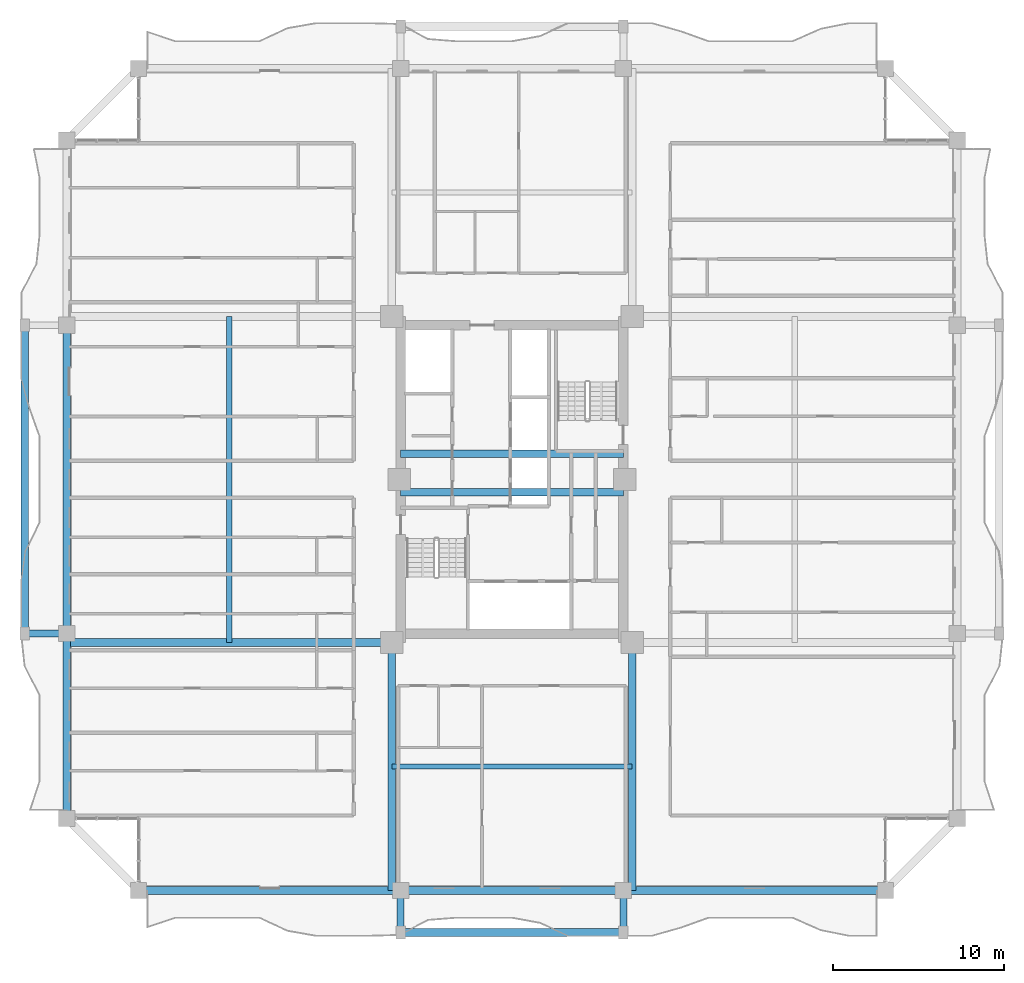
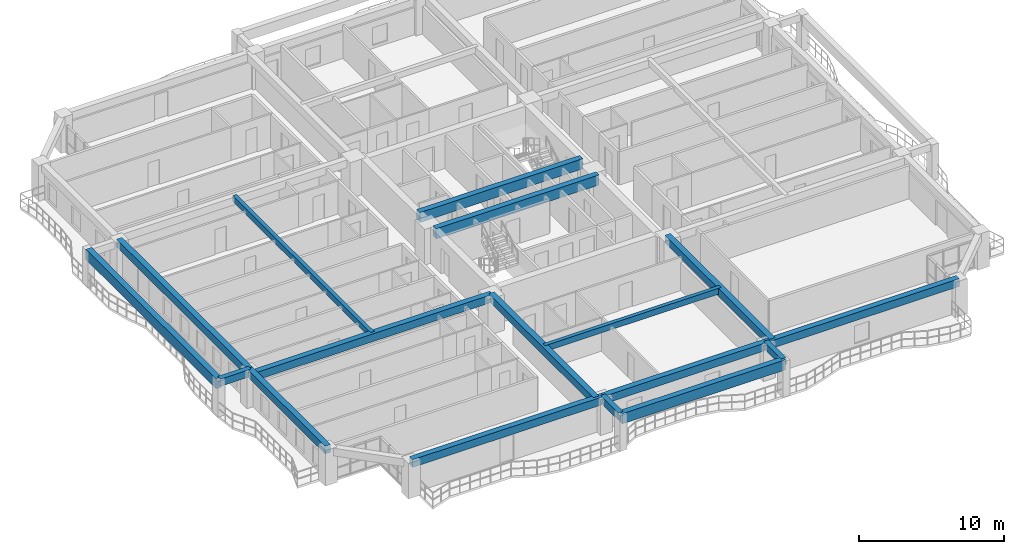
# One storey, part 3 of 24: 17 beams.
"""IFC4 building model written with IfcOpenShell, lengths in metres."""

from ifc_helpers import new_model, si_unit, direction, frame, origin, origin_2d, place, context, subcontext, project, spatial, rectangle, extrude, source, transform, mapped, material, material_profile, profile_set, type_object, element, save


model = new_model("IFC4")

# Units and contexts
model_context = context("Model", 3, precision=1e-05, world=origin(), true_north=direction((0.0, 1.0)))
body_context = subcontext(model_context, "Body", "Model", "MODEL_VIEW")
ifc_project = project(units=[si_unit("LENGTHUNIT", "METRE"), si_unit("AREAUNIT", "SQUARE_METRE"), si_unit("VOLUMEUNIT", "CUBIC_METRE"), si_unit("PLANEANGLEUNIT", "RADIAN"), si_unit("MASSUNIT", "GRAM", prefix="KILO")], contexts=[model_context])

# Site, building, storey
site_placement = place(None, origin())
site = spatial("IfcSite", under=ifc_project, at=site_placement, CompositionType="ELEMENT")
building_placement = place(site_placement, origin())
building = spatial("IfcBuilding", under=site, at=building_placement, Name="Saelheon Loggia Tower", CompositionType="ELEMENT")
storey_placement = place(building_placement, frame((0.0, 0.0, 126.75)))
storey = spatial("IfcBuildingStorey", under=building, at=storey_placement, Name="L40", CompositionType="ELEMENT", Elevation=126.75)

# Beams
ifc_material_1 = material(Name="Concrete C50/60", Category="concrete")
ifc_material_profile_1 = material_profile(ifc_material_1, rectangle(XDim=0.449951171875, YDim=0.85009765625, at=origin_2d()), Name="RC-450x850")
ifc_profile_set_1 = profile_set([ifc_material_profile_1], Name="Concrete C50/60")
beam_type_1 = type_object("IfcBeamType", Name="Beam_CoreLintel_RC450x850", PredefinedType="LINTEL", material=ifc_profile_set_1)
shared_shape_1 = source(origin(), body_context, "Body", "SweptSolid", [
    extrude(rectangle(XDim=0.449951171875, YDim=0.85009765625, at=origin_2d()), origin(), (0.0, 0.0, 1.0), 13.0),
])
for number, where, z_axis, x_axis, name in (
    (1, (31.5, 26.25, 2.574951171875), (1.0, 0.0, 0.0), (0.0, 1.0, 0.0), "L40 Core Coupling Lintel 1"),
    (2, (31.5, 28.5, 2.574951171875), (1.0, 0.0, 0.0), (0.0, 1.0, 0.0), "L40 Core Coupling Lintel 2"),
):
    element("IfcBeam", number, at=place(storey_placement, frame(where, z_axis=z_axis, x_axis=x_axis)), inside=storey, type_object=beam_type_1, Name=name, PredefinedType="LINTEL", context=body_context, shape_type="MappedRepresentation", body=[
        mapped(shared_shape_1, transform((0.0, 0.0, 0.0), scale=1.0)),
    ])
ifc_material_2 = material(Name="Precast Concrete C45/55", Category="concrete")
ifc_material_profile_2 = material_profile(ifc_material_2, rectangle(XDim=0.449951171875, YDim=0.85009765625, at=origin_2d()), Name="RC-450x850")
ifc_profile_set_2 = profile_set([ifc_material_profile_2], Name="Precast Concrete C45/55")
beam_type_2 = type_object("IfcBeamType", Name="Beam_LoggiaSpandrel_RC450x850", PredefinedType="SPANDREL", material=ifc_profile_set_2)
beam_1_placement = place(storey_placement, frame((31.5, 0.550048828125, 2.574951171875), z_axis=(1.0, 0.0, 0.0), x_axis=(0.0, 1.0, 0.0)))
element("IfcBeam", 3, at=beam_1_placement, inside=storey, type_object=beam_type_2, Name="L40 Loggia Spandrel Beam S", PredefinedType="SPANDREL", context=body_context, shape_type="MappedRepresentation", body=[
    mapped(shared_shape_1, transform((0.0, 0.0, 0.0), scale=1.0)),
])
ifc_material_profile_3 = material_profile(ifc_material_2, rectangle(XDim=0.39990234375, YDim=0.60009765625, at=origin_2d()), Name="RC-400x600")
ifc_profile_set_3 = profile_set([ifc_material_profile_3], Name="Precast Concrete C45/55")
beam_type_3 = type_object("IfcBeamType", Name="Beam_LoggiaTie_RC400x600", PredefinedType="BEAM", material=ifc_profile_set_3)
shared_shape_2 = source(origin(), body_context, "Body", "SweptSolid", [
    extrude(rectangle(XDim=0.39990234375, YDim=0.60009765625, at=origin_2d()), origin(), (0.0, 0.0, 1.0), 2.449951171875),
])
for number, where, z_axis, x_axis, name in (
    (4, (31.5, 3.0, 2.699951171875), (0.0, -1.0, 0.0), (1.0, 0.0, 0.0), "L40 Loggia Frame Tie Beam LP-S1"),
    (5, (44.5, 3.0, 2.699951171875), (0.0, -1.0, 0.0), (1.0, 0.0, 0.0), "L40 Loggia Frame Tie Beam LP-S2"),
    (6, (12.0, 18.0, 2.699951171875), (-1.0, 0.0, 0.0), (0.0, -1.0, 0.0), "L40 Loggia Frame Tie Beam LP-W1"),
):
    element("IfcBeam", number, at=place(storey_placement, frame(where, z_axis=z_axis, x_axis=x_axis)), inside=storey, type_object=beam_type_3, Name=name, PredefinedType="BEAM", context=body_context, shape_type="MappedRepresentation", body=[
        mapped(shared_shape_2, transform((0.0, 0.0, 0.0), scale=1.0)),
    ])
shared_shape_3 = source(origin(), body_context, "Body", "SweptSolid", [
    extrude(rectangle(XDim=0.449951171875, YDim=0.85009765625, at=origin_2d()), origin(), (0.0, 0.0, 1.0), 18.0),
])
beam_2_placement = place(storey_placement, frame((9.550048828125, 18.0, 2.574951171875), z_axis=(0.0, 1.0, 0.0), x_axis=(-1.0, 0.0, 0.0)))
element("IfcBeam", 7, at=beam_2_placement, inside=storey, type_object=beam_type_2, Name="L40 Loggia Spandrel Beam W", PredefinedType="SPANDREL", context=body_context, shape_type="MappedRepresentation", body=[
    mapped(shared_shape_3, transform((0.0, 0.0, 0.0), scale=1.0)),
])
ifc_material_3 = material(Name="Concrete C40/50", Category="concrete")
ifc_material_profile_4 = material_profile(ifc_material_3, rectangle(XDim=0.449951171875, YDim=0.64990234375, at=origin_2d()), Name="RC-450x650")
ifc_profile_set_4 = profile_set([ifc_material_profile_4], Name="Concrete C40/50")
beam_type_4 = type_object("IfcBeamType", Name="Beam_PerimTower_RC450x650", PredefinedType="BEAM", material=ifc_profile_set_4)
shared_shape_4 = source(origin(), body_context, "Body", "SweptSolid", [
    extrude(rectangle(XDim=0.449951171875, YDim=0.64990234375, at=origin_2d()), origin(), (0.0, 0.0, 1.0), 15.300048828125),
])
for number, where, z_axis, x_axis, name in (
    (8, (16.199951171875, 3.0, 2.675048828125), (1.0, 0.0, 0.0), (0.0, 1.0, 0.0), "L40 Perimeter Frame Girder 01"),
    (9, (44.5, 3.0, 2.675048828125), (1.0, 0.0, 0.0), (0.0, 1.0, 0.0), "L40 Perimeter Frame Girder 03"),
):
    element("IfcBeam", number, at=place(storey_placement, frame(where, z_axis=z_axis, x_axis=x_axis)), inside=storey, type_object=beam_type_4, Name=name, PredefinedType="BEAM", context=body_context, shape_type="MappedRepresentation", body=[
        mapped(shared_shape_4, transform((0.0, 0.0, 0.0), scale=1.0)),
    ])
shared_shape_5 = source(origin(), body_context, "Body", "SweptSolid", [
    extrude(rectangle(XDim=0.449951171875, YDim=0.64990234375, at=origin_2d()), origin(), (0.0, 0.0, 1.0), 13.0),
])
beam_3_placement = place(storey_placement, frame((31.5, 3.0, 2.675048828125), z_axis=(1.0, 0.0, 0.0), x_axis=(0.0, 1.0, 0.0)))
element("IfcBeam", 10, at=beam_3_placement, inside=storey, type_object=beam_type_4, Name="L40 Perimeter Frame Girder 02", PredefinedType="BEAM", context=body_context, shape_type="MappedRepresentation", body=[
    mapped(shared_shape_5, transform((0.0, 0.0, 0.0), scale=1.0)),
])
shared_shape_6 = source(origin(), body_context, "Body", "SweptSolid", [
    extrude(rectangle(XDim=0.449951171875, YDim=0.64990234375, at=origin_2d()), origin(), (0.0, 0.0, 1.0), 10.800048828125),
])
beam_4_placement = place(storey_placement, frame((12.0, 18.0, 2.675048828125), z_axis=(0.0, -1.0, 0.0), x_axis=(1.0, 0.0, 0.0)))
element("IfcBeam", 11, at=beam_4_placement, inside=storey, type_object=beam_type_4, Name="L40 Perimeter Frame Girder 15", PredefinedType="BEAM", context=body_context, shape_type="MappedRepresentation", body=[
    mapped(shared_shape_6, transform((0.0, 0.0, 0.0), scale=1.0)),
])
shared_shape_7 = source(origin(), body_context, "Body", "SweptSolid", [
    extrude(rectangle(XDim=0.449951171875, YDim=0.64990234375, at=origin_2d()), origin(), (0.0, 0.0, 1.0), 18.0),
])
beam_5_placement = place(storey_placement, frame((12.0, 36.0, 2.675048828125), z_axis=(0.0, -1.0, 0.0), x_axis=(1.0, 0.0, 0.0)))
element("IfcBeam", 12, at=beam_5_placement, inside=storey, type_object=beam_type_4, Name="L40 Perimeter Frame Girder 14", PredefinedType="BEAM", context=body_context, shape_type="MappedRepresentation", body=[
    mapped(shared_shape_7, transform((0.0, 0.0, 0.0), scale=1.0)),
])
ifc_material_profile_5 = material_profile(ifc_material_3, rectangle(XDim=0.449951171875, YDim=0.64990234375, at=origin_2d()), Name="RC-450x650")
ifc_profile_set_5 = profile_set([ifc_material_profile_5], Name="Concrete C40/50")
beam_type_5 = type_object("IfcBeamType", Name="Beam_TowerGirder_RC450x650", PredefinedType="BEAM", material=ifc_profile_set_5)
shared_shape_8 = source(origin(), body_context, "Body", "SweptSolid", [
    extrude(rectangle(XDim=0.449951171875, YDim=0.64990234375, at=origin_2d()), origin(), (0.0, 0.0, 1.0), 14.47998046875),
])
for number, where, z_axis, x_axis, name in (
    (13, (30.97998046875, 17.47998046875, 2.675048828125), (0.0, -1.0, 0.0), (1.0, 0.0, 0.0), "L40 Radial Floor Girder RAD-SW-S"),
    (14, (45.02001953125, 17.47998046875, 2.675048828125), (0.0, -1.0, 0.0), (1.0, 0.0, 0.0), "L40 Radial Floor Girder RAD-SE-S"),
):
    element("IfcBeam", number, at=place(storey_placement, frame(where, z_axis=z_axis, x_axis=x_axis)), inside=storey, type_object=beam_type_5, Name=name, PredefinedType="BEAM", context=body_context, shape_type="MappedRepresentation", body=[
        mapped(shared_shape_8, transform((0.0, 0.0, 0.0), scale=1.0)),
    ])
shared_shape_9 = source(origin(), body_context, "Body", "SweptSolid", [
    extrude(rectangle(XDim=0.449951171875, YDim=0.64990234375, at=origin_2d()), origin(), (0.0, 0.0, 1.0), 18.97998046875),
])
beam_6_placement = place(storey_placement, frame((30.97998046875, 17.47998046875, 2.675048828125), z_axis=(-1.0, 0.0, 0.0), x_axis=(0.0, -1.0, 0.0)))
element("IfcBeam", 15, at=beam_6_placement, inside=storey, type_object=beam_type_5, Name="L40 Radial Floor Girder RAD-SW-W", PredefinedType="BEAM", context=body_context, shape_type="MappedRepresentation", body=[
    mapped(shared_shape_9, transform((0.0, 0.0, 0.0), scale=1.0)),
])
ifc_material_profile_6 = material_profile(ifc_material_3, rectangle(XDim=0.300048828125, YDim=0.5, at=origin_2d()), Name="RC-300x500")
ifc_profile_set_6 = profile_set([ifc_material_profile_6], Name="Concrete C40/50")
beam_type_6 = type_object("IfcBeamType", Name="Beam_Joist_RC300x500", PredefinedType="JOIST", material=ifc_profile_set_6)
shared_shape_10 = source(origin(), body_context, "Body", "SweptSolid", [
    extrude(rectangle(XDim=0.300048828125, YDim=0.5, at=origin_2d()), origin(), (0.0, 0.0, 1.0), 14.0400390625),
])
beam_7_placement = place(storey_placement, frame((30.97998046875, 10.239990234375, 2.75), z_axis=(1.0, 0.0, 0.0), x_axis=(0.0, 1.0, 0.0)))
element("IfcBeam", 16, at=beam_7_placement, inside=storey, type_object=beam_type_6, Name="L40 South Floor Joist", PredefinedType="JOIST", context=body_context, shape_type="MappedRepresentation", body=[
    mapped(shared_shape_10, transform((0.0, 0.0, 0.0), scale=1.0)),
])
shared_shape_11 = source(origin(), body_context, "Body", "SweptSolid", [
    extrude(rectangle(XDim=0.300048828125, YDim=0.5, at=origin_2d()), origin(), (0.0, 0.0, 1.0), 19.0400390625),
])
beam_8_placement = place(storey_placement, frame((21.489990234375, 17.47998046875, 2.75), z_axis=(0.0, 1.0, 0.0), x_axis=(-1.0, 0.0, 0.0)))
element("IfcBeam", 17, at=beam_8_placement, inside=storey, type_object=beam_type_6, Name="L40 West Floor Joist", PredefinedType="JOIST", context=body_context, shape_type="MappedRepresentation", body=[
    mapped(shared_shape_11, transform((0.0, 0.0, 0.0), scale=1.0)),
])

save(model, "model.ifc")
